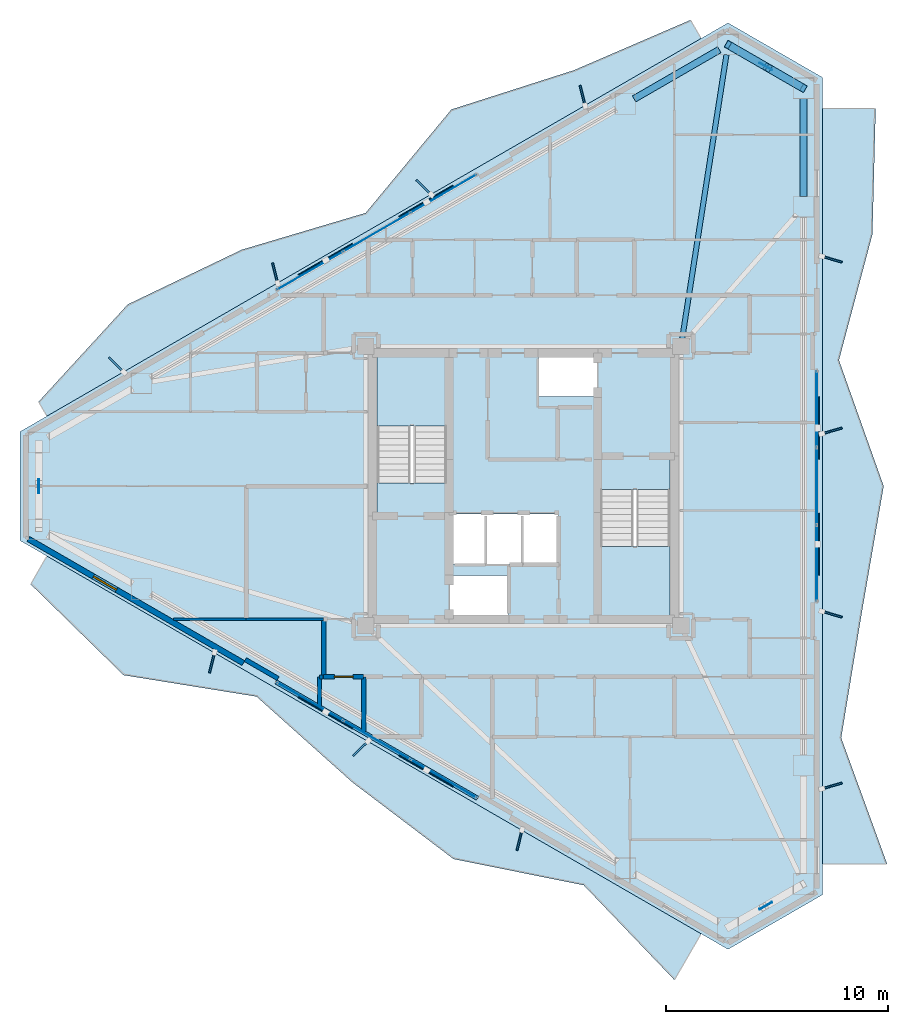
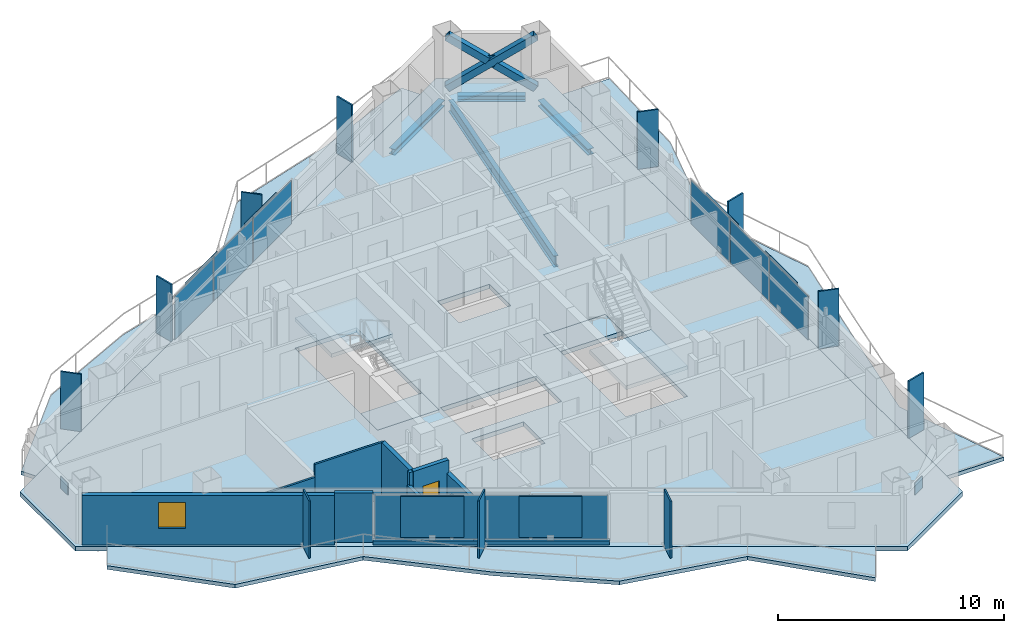
# One storey, part 11 of 18: 29 plates, 10 walls, 8 slabs, 4 beams, 3 members, 1 door, 1 window, 2 openings, 5 elements without a shape of their own.
"""IFC4 building model written with IfcOpenShell, lengths in metres."""

from ifc_helpers import new_model, si_unit, direction, frame, frame_2d, origin, origin_2d, place, context, subcontext, project, spatial, polyline, rectangle, hollow_rectangle, i_section, outline, extrude, material, layer, layer_set, material_profile, profile_set, type_object, element, fill, aggregate, save


model = new_model("IFC4")

# Units and contexts
model_context = context("Model", 3, precision=1e-05, world=origin(), true_north=direction((0.0, 1.0)))
body_context = subcontext(model_context, "Body", "Model", "MODEL_VIEW")
ifc_project = project(units=[si_unit("LENGTHUNIT", "METRE"), si_unit("AREAUNIT", "SQUARE_METRE"), si_unit("VOLUMEUNIT", "CUBIC_METRE"), si_unit("PLANEANGLEUNIT", "RADIAN"), si_unit("MASSUNIT", "GRAM", prefix="KILO")], contexts=[model_context])

# Site, building, storey
site_placement = place(None, origin())
site = spatial("IfcSite", under=ifc_project, at=site_placement, CompositionType="ELEMENT")
building_placement = place(site_placement, origin())
building = spatial("IfcBuilding", under=site, at=building_placement, Name="Mersakhor Tower and Convention Hall", CompositionType="ELEMENT")
storey_placement = place(building_placement, frame((0.0, 0.0, 137.699951171875)))
storey = spatial("IfcBuildingStorey", under=building, at=storey_placement, Name="L38", CompositionType="ELEMENT", Elevation=137.699951171875)

# Beams
ifc_material_1 = material(Name="Steel S355", Category="steel")
ifc_material_profile_1 = material_profile(ifc_material_1, i_section(OverallWidth=0.22900390625, OverallDepth=0.6123046875, WebThickness=0.011962890625, FlangeThickness=0.01953125, at=origin_2d()), Name="UB 610x229x125")
ifc_profile_set_1 = profile_set([ifc_material_profile_1], Name="Steel S355")
beam_type_1 = type_object("IfcBeamType", Name="BM-PR-610", PredefinedType="BEAM", material=ifc_profile_set_1)
beam_1_placement = place(storey_placement, frame((36.15478515625, 33.40087890625, -0.546142578125), z_axis=(0.154111159783, 0.988053515975, 0.0), x_axis=(-0.988053515975, 0.154111159783, 0.0)))
element("IfcBeam", 1, at=beam_1_placement, inside=storey, type_object=beam_type_1, Name="L38 Primary Floor Girder FG-2", PredefinedType="BEAM", context=body_context, shape_type="SweptSolid", body=[
    extrude(i_section(OverallWidth=0.22900390625, OverallDepth=0.6123046875, WebThickness=0.011962890625, FlangeThickness=0.01953125, at=origin_2d()), origin(), (0.0, 0.0, 1.0), 12.94921875),
])
ifc_material_2 = material(Name="Steel S355", Category="steel")
ifc_material_profile_2 = material_profile(ifc_material_2, i_section(OverallWidth=0.30908203125, OverallDepth=0.320556640625, WebThickness=0.013916015625, FlangeThickness=0.021728515625, at=origin_2d()), Name="UC 305x305x137")
ifc_profile_set_2 = profile_set([ifc_material_profile_2], Name="Steel S355")
beam_type_2 = type_object("IfcBeamType", Name="BM-SPD-UC305", PredefinedType="SPANDREL", material=ifc_profile_set_2)
beam_2_placement = place(storey_placement, frame((33.986572265625, 44.200439453125, -0.400146484375), z_axis=(0.866038875684, 0.49997666526, 0.0), x_axis=(-0.49997666526, 0.866038875684, 0.0)))
element("IfcBeam", 2, at=beam_2_placement, inside=storey, type_object=beam_type_2, Name="L38 Perimeter Spandrel Beam SPB-03", PredefinedType="SPANDREL", context=body_context, shape_type="SweptSolid", body=[
    extrude(i_section(OverallWidth=0.30908203125, OverallDepth=0.320556640625, WebThickness=0.013916015625, FlangeThickness=0.021728515625, at=origin_2d()), origin(), (0.0, 0.0, 1.0), 4.433837890625),
])
beam_3_placement = place(storey_placement, frame((38.614501953125, 46.417236328125, -0.400146484375), z_axis=(0.86604667077, -0.499963162692, 0.0), x_axis=(0.499963162692, 0.86604667077, 0.0)))
element("IfcBeam", 3, at=beam_3_placement, inside=storey, type_object=beam_type_2, Name="L38 Perimeter Spandrel Beam SPB-04", PredefinedType="SPANDREL", context=body_context, shape_type="SweptSolid", body=[
    extrude(i_section(OverallWidth=0.30908203125, OverallDepth=0.320556640625, WebThickness=0.013916015625, FlangeThickness=0.021728515625, at=origin_2d()), origin(), (0.0, 0.0, 1.0), 3.014404296875),
])
beam_4_placement = place(storey_placement, frame((41.619140625, 44.2275390625, -0.400146484375), z_axis=(0.0, -1.0, 0.0), x_axis=(1.0, 0.0, 0.0)))
element("IfcBeam", 4, at=beam_4_placement, inside=storey, type_object=beam_type_2, Name="L38 Perimeter Spandrel Beam SPB-05", PredefinedType="SPANDREL", context=body_context, shape_type="SweptSolid", body=[
    extrude(i_section(OverallWidth=0.30908203125, OverallDepth=0.320556640625, WebThickness=0.013916015625, FlangeThickness=0.021728515625, at=origin_2d()), origin(), (0.0, 0.0, 1.0), 4.433837890625),
])

# Members
ifc_material_3 = material(Name="Steel S460", Category="steel")
ifc_material_profile_3 = material_profile(ifc_material_3, hollow_rectangle(XDim=0.35009765625, YDim=0.35009765625, WallThickness=0.02001953125, at=origin_2d()), Name="SHS 350x350x20")
ifc_profile_set_3 = profile_set([ifc_material_profile_3], Name="Steel S460")
member_type = type_object("IfcMemberType", Name="MB-BRC-SHS350", PredefinedType="BRACE", material=ifc_profile_set_3)
member_placement = place(storey_placement, frame((38.220458984375, 46.644775390625, 0.150146484375), z_axis=(0.70838533923, -0.408971551713, 0.575267312693), x_axis=(0.499986324622, 0.866033299124, 0.0)))
element("IfcMember", 5, at=member_placement, inside=storey, type_object=member_type, Name="L38 Chamfer Braced Frame Diagonal CB-1A", PredefinedType="BRACE", context=body_context, shape_type="SweptSolid", body=[
    extrude(hollow_rectangle(XDim=0.35009765625, YDim=0.35009765625, WallThickness=0.02001953125, at=origin_2d()), origin(), (0.0, 0.0, 1.0), 4.7978515625),
])
for number, where, z_axis, x_axis, name in (
    (6, (41.619140625, 44.6826171875, 0.150146484375), (-0.708409139881, 0.409012716899, 0.575208734242), (-0.500011469263, -0.866018781901, 0.0), "L38 Chamfer Braced Frame Diagonal CB-1B Lower Half"),
    (7, (39.782470703125, 45.742919921875, 1.6416015625), (-0.708364021879, 0.408986667212, 0.575282816143), (-0.500011469263, -0.866018781901, 0.0), "L38 Chamfer Braced Frame Diagonal CB-1B Upper Half"),
):
    element("IfcMember", number, at=place(storey_placement, frame(where, z_axis=z_axis, x_axis=x_axis)), inside=storey, type_object=member_type, Name=name, PredefinedType="BRACE", context=body_context, shape_type="SweptSolid", body=[
        extrude(hollow_rectangle(XDim=0.35009765625, YDim=0.35009765625, WallThickness=0.02001953125, at=origin_2d()), origin(), (0.0, 0.0, 1.0), 2.205078125),
    ])

# Curtain wall, plates
ifc_material_4 = material(Name="Dark solar low-E aluminium curtain wall", Category="aluminium")
ifc_layer_1 = layer(ifc_material_4, 0.169921875)
ifc_layer_set_1 = layer_set([ifc_layer_1], Name="Dark solar low-E aluminium curtain wall")
curtain_wall_type = type_object("IfcCurtainWallType", Name="CW-SYS-02", PredefinedType="USERDEFINED", material=ifc_layer_set_1)
curtain_wall_1_placement = place(storey_placement, origin())
curtain_wall_1 = element("IfcCurtainWall", 8, at=curtain_wall_1_placement, inside=storey, type_object=curtain_wall_type, Name="L38 Dark-Glass Curtain Wall F1-B2", ObjectType="CURTAIN WALL", PredefinedType="USERDEFINED")
ifc_material_5 = material(Name="Dark solar double glazing", Category="glass")
ifc_layer_2 = layer(ifc_material_5, 0.028076171875)
ifc_layer_set_2 = layer_set([ifc_layer_2], Name="Dark solar double glazing")
plate_type_1 = type_object("IfcPlateType", Name="CWP-GLZ-28", PredefinedType="CURTAIN_PANEL", material=ifc_layer_set_2)
plate_1_placement = place(storey_placement, frame((19.379638671875, 36.4599609375, 0.259765625), z_axis=(0.0, 0.0, 1.0), x_axis=(0.866030906807, 0.499990468363, 0.0)))
plate_1 = element("IfcPlate", 9, at=plate_1_placement, type_object=plate_type_1, Name="CW-02 panel 1.1", PredefinedType="CURTAIN_PANEL", context=body_context, shape_type="SweptSolid", body=[
    extrude(rectangle(XDim=3.3828125, YDim=0.028076171875, at=origin_2d()), origin(), (0.0, 0.0, 1.0), 2.360107421875),
])
plate_2_placement = place(storey_placement, frame((22.390380859375, 38.1982421875, 0.259765625), z_axis=(0.0, 0.0, 1.0), x_axis=(0.866030906807, 0.499990468363, 0.0)))
plate_2 = element("IfcPlate", 10, at=plate_2_placement, type_object=plate_type_1, Name="CW-02 panel 2.1", PredefinedType="CURTAIN_PANEL", context=body_context, shape_type="SweptSolid", body=[
    extrude(rectangle(XDim=3.42041015625, YDim=0.028076171875, at=origin_2d()), origin(), (0.0, 0.0, 1.0), 2.360107421875),
])
plate_3_placement = place(storey_placement, frame((25.401123046875, 39.9365234375, 0.259765625), z_axis=(0.0, 0.0, 1.0), x_axis=(0.866030906807, 0.499990468363, 0.0)))
plate_3 = element("IfcPlate", 11, at=plate_3_placement, type_object=plate_type_1, Name="CW-02 panel 3.1", PredefinedType="CURTAIN_PANEL", context=body_context, shape_type="SweptSolid", body=[
    extrude(rectangle(XDim=3.3828125, YDim=0.028076171875, at=origin_2d()), origin(), (0.0, 0.0, 1.0), 2.360107421875),
])
aggregate(curtain_wall_1, [plate_1, plate_2, plate_3])

curtain_wall_2_placement = place(storey_placement, origin())
curtain_wall_2 = element("IfcCurtainWall", 12, at=curtain_wall_2_placement, inside=storey, type_object=curtain_wall_type, Name="L38 Dark-Glass Curtain Wall F2-B2", ObjectType="CURTAIN WALL", PredefinedType="USERDEFINED")
plate_4_placement = place(storey_placement, frame((42.21923828125, 30.2265625, 0.259765625), z_axis=(0.0, 0.0, 1.0), x_axis=(0.0, -1.0, 0.0)))
plate_4 = element("IfcPlate", 13, at=plate_4_placement, type_object=plate_type_1, Name="CW-02 panel 1.1", PredefinedType="CURTAIN_PANEL", context=body_context, shape_type="SweptSolid", body=[
    extrude(rectangle(XDim=3.3828125, YDim=0.028076171875, at=origin_2d()), origin(), (0.0, 0.0, 1.0), 2.360107421875),
])
plate_5_placement = place(storey_placement, frame((42.21923828125, 26.75, 0.259765625), z_axis=(0.0, 0.0, 1.0), x_axis=(0.0, -1.0, 0.0)))
plate_5 = element("IfcPlate", 14, at=plate_5_placement, type_object=plate_type_1, Name="CW-02 panel 2.1", PredefinedType="CURTAIN_PANEL", context=body_context, shape_type="SweptSolid", body=[
    extrude(rectangle(XDim=3.42041015625, YDim=0.028076171875, at=origin_2d()), origin(), (0.0, 0.0, 1.0), 2.360107421875),
])
plate_6_placement = place(storey_placement, frame((42.21923828125, 23.2734375, 0.259765625), z_axis=(0.0, 0.0, 1.0), x_axis=(0.0, -1.0, 0.0)))
plate_6 = element("IfcPlate", 15, at=plate_6_placement, type_object=plate_type_1, Name="CW-02 panel 3.1", PredefinedType="CURTAIN_PANEL", context=body_context, shape_type="SweptSolid", body=[
    extrude(rectangle(XDim=3.3828125, YDim=0.028076171875, at=origin_2d()), origin(), (0.0, 0.0, 1.0), 2.360107421875),
])
aggregate(curtain_wall_2, [plate_4, plate_5, plate_6])

curtain_wall_3_placement = place(storey_placement, origin())
curtain_wall_3 = element("IfcCurtainWall", 16, at=curtain_wall_3_placement, inside=storey, type_object=curtain_wall_type, Name="L38 Dark-Glass Curtain Wall F3-B2", ObjectType="CURTAIN WALL", PredefinedType="USERDEFINED")
plate_7_placement = place(storey_placement, frame((25.401123046875, 13.5634765625, 0.259765625), z_axis=(0.0, 0.0, 1.0), x_axis=(-0.866030906807, 0.499990468363, 0.0)))
plate_7 = element("IfcPlate", 17, at=plate_7_placement, type_object=plate_type_1, Name="CW-02 panel 1.1", PredefinedType="CURTAIN_PANEL", context=body_context, shape_type="SweptSolid", body=[
    extrude(rectangle(XDim=3.3828125, YDim=0.028076171875, at=origin_2d()), origin(), (0.0, 0.0, 1.0), 2.360107421875),
])
plate_8_placement = place(storey_placement, frame((22.390380859375, 15.3017578125, 0.259765625), z_axis=(0.0, 0.0, 1.0), x_axis=(-0.866030906807, 0.499990468363, 0.0)))
plate_8 = element("IfcPlate", 18, at=plate_8_placement, type_object=plate_type_1, Name="CW-02 panel 2.1", PredefinedType="CURTAIN_PANEL", context=body_context, shape_type="SweptSolid", body=[
    extrude(rectangle(XDim=3.42041015625, YDim=0.028076171875, at=origin_2d()), origin(), (0.0, 0.0, 1.0), 2.360107421875),
])
plate_9_placement = place(storey_placement, frame((19.379638671875, 17.0400390625, 0.259765625), z_axis=(0.0, 0.0, 1.0), x_axis=(-0.866030906807, 0.499990468363, 0.0)))
plate_9 = element("IfcPlate", 19, at=plate_9_placement, type_object=plate_type_1, Name="CW-02 panel 3.1", PredefinedType="CURTAIN_PANEL", context=body_context, shape_type="SweptSolid", body=[
    extrude(rectangle(XDim=3.3828125, YDim=0.028076171875, at=origin_2d()), origin(), (0.0, 0.0, 1.0), 2.360107421875),
])
aggregate(curtain_wall_3, [plate_7, plate_8, plate_9])

# Plates
ifc_material_6 = material(Name="Ceramic-clad aluminium Zone 3 ochre-bronze", Category="aluminium")
ifc_material_7 = material(Name="Ceramic-clad aluminium Zone 1 cobalt-slate", Category="masonry")
ifc_layer_3 = layer(ifc_material_7, 0.080078125)
ifc_layer_set_3 = layer_set([ifc_layer_3], Name="Ceramic-clad aluminium Zone 1 cobalt-slate")
plate_type_2 = type_object("IfcPlateType", Name="PL-FIN-80", PredefinedType="USERDEFINED", material=ifc_layer_set_3)
for number, where, z_axis, x_axis, name in (
    (20, (10.6552734375, 32.215576171875, 0.0), (0.0, 0.0, 1.0), (-0.719339800339, 0.694658370459, 0.0), "L38 Zone 3 Coloured Brise-Soleil Fin F1-1"),
    (21, (17.81005859375, 36.3466796875, 0.0), (0.0, 0.0, 1.0), (-0.2419218956, 0.970295726276, 0.0), "L38 Zone 3 Coloured Brise-Soleil Fin F1-2"),
    (22, (24.51171875, 40.215576171875, 0.0), (0.0, 0.0, 1.0), (-0.719339800339, 0.694658370459, 0.0), "L38 Zone 3 Coloured Brise-Soleil Fin F1-3"),
    (23, (31.66650390625, 44.346435546875, 0.0), (0.0, 0.0, 1.0), (-0.2419218956, 0.970295726276, 0.0), "L38 Zone 3 Coloured Brise-Soleil Fin F1-4"),
    (24, (42.90576171875, 36.9755859375, 0.0), (0.0, 0.0, 1.0), (0.961261695938, -0.275637355817, 0.0), "L38 Zone 3 Coloured Brise-Soleil Fin F2-1"),
    (25, (42.90576171875, 29.237548828125, 0.0), (0.0, 0.0, 1.0), (0.961261695938, 0.275637355817, 0.0), "L38 Zone 3 Coloured Brise-Soleil Fin F2-2"),
    (26, (42.90576171875, 20.9755859375, 0.0), (0.0, 0.0, 1.0), (0.961261695938, -0.275637355817, 0.0), "L38 Zone 3 Coloured Brise-Soleil Fin F2-3"),
    (27, (42.90576171875, 13.237548828125, 0.0), (0.0, 0.0, 1.0), (0.961261695938, 0.275637355817, 0.0), "L38 Zone 3 Coloured Brise-Soleil Fin F2-4"),
    (28, (28.8203125, 10.796875, 0.0), (0.0, 0.0, 1.0), (-0.2419218956, -0.970295726276, 0.0), "L38 Zone 3 Coloured Brise-Soleil Fin F3-1"),
    (29, (21.665283203125, 14.927734375, 0.0), (0.0, 0.0, 1.0), (-0.719339800339, -0.694658370459, 0.0), "L38 Zone 3 Coloured Brise-Soleil Fin F3-2"),
    (30, (14.9638671875, 18.796875, 0.0), (0.0, 0.0, 1.0), (-0.2419218956, -0.970295726276, 0.0), "L38 Zone 3 Coloured Brise-Soleil Fin F3-3"),
):
    element("IfcPlate", number, at=place(storey_placement, frame(where, z_axis=z_axis, x_axis=x_axis)), inside=storey, type_object=plate_type_2, material=ifc_material_6, Name=name, ObjectType="FIN", PredefinedType="USERDEFINED", context=body_context, shape_type="SweptSolid", body=[
        extrude(rectangle(XDim=0.949951171875, YDim=0.080078125, at=origin_2d()), origin(), (0.0, 0.0, 1.0), 3.10009765625),
    ])
ifc_material_8 = material(Name="Steel S460", Category="steel")
ifc_layer_4 = layer(ifc_material_8, 0.0400390625)
ifc_layer_set_4 = layer_set([ifc_layer_4], Name="Steel S460")
plate_type_3 = type_object("IfcPlateType", Name="PL-GUSSET-40", PredefinedType="SHEET", material=ifc_layer_set_4)
for number, where, z_axis, x_axis, name in (
    (31, (39.919921875, 45.663818359375, 1.2099609375), (0.0, 0.0, 1.0), (-0.866025403784, 0.5, 0.0), "L38 X-Brace Crossing Gusset Node Plate"),
    (32, (39.919921875, 7.836181640625, 1.2099609375), (0.0, 0.0, 1.0), (0.866025403784, 0.5, 0.0), "L38 X-Brace Crossing Gusset Node Plate"),
    (33, (7.160400390625, 26.75, 1.2099609375), (0.0, 0.0, 1.0), (0.0, -1.0, 0.0), "L38 X-Brace Crossing Gusset Node Plate"),
):
    element("IfcPlate", number, at=place(storey_placement, frame(where, z_axis=z_axis, x_axis=x_axis)), inside=storey, type_object=plate_type_3, Name=name, PredefinedType="SHEET", context=body_context, shape_type="SweptSolid", body=[
        extrude(rectangle(XDim=0.639892578125, YDim=0.0400390625, at=origin_2d()), origin(), (0.0, 0.0, 1.0), 0.639892578125),
    ])
ifc_material_9 = material(Name="Perforated ceramic cobogo solar screen", Category="aluminium")
ifc_layer_5 = layer(ifc_material_9, 0.048095703125)
ifc_layer_set_5 = layer_set([ifc_layer_5], Name="Perforated ceramic cobogo solar screen")
plate_type_4 = type_object("IfcPlateType", Name="PL-SCR-48", PredefinedType="USERDEFINED", material=ifc_layer_set_5)
for number, where, z_axis, x_axis, name in (
    (34, (20.072998046875, 36.96875, 0.400146484375), (0.0, 0.0, 1.0), (0.866025403784, 0.5, 0.0), "L38 Perforated Ceramic Solar Screen F1-1"),
    (35, (24.61376953125, 39.59033203125, 0.400146484375), (0.0, 0.0, 1.0), (0.866025403784, 0.5, 0.0), "L38 Perforated Ceramic Solar Screen F1-2"),
    (36, (42.313232421875, 29.37158203125, 0.400146484375), (0.0, 0.0, 1.0), (0.0, -1.0, 0.0), "L38 Perforated Ceramic Solar Screen F2-1"),
    (37, (42.313232421875, 24.12841796875, 0.400146484375), (0.0, 0.0, 1.0), (0.0, -1.0, 0.0), "L38 Perforated Ceramic Solar Screen F2-2"),
    (38, (24.61376953125, 13.90966796875, 0.400146484375), (0.0, 0.0, 1.0), (-0.866025403784, 0.5, 0.0), "L38 Perforated Ceramic Solar Screen F3-1"),
    (39, (20.072998046875, 16.53125, 0.400146484375), (0.0, 0.0, 1.0), (-0.866025403784, 0.5, 0.0), "L38 Perforated Ceramic Solar Screen F3-2"),
):
    element("IfcPlate", number, at=place(storey_placement, frame(where, z_axis=z_axis, x_axis=x_axis)), inside=storey, type_object=plate_type_4, Name=name, ObjectType="SCREEN", PredefinedType="USERDEFINED", context=body_context, shape_type="SweptSolid", body=[
        extrude(rectangle(XDim=2.800048828125, YDim=0.048095703125, at=origin_2d()), origin(), (0.0, 0.0, 1.0), 2.22998046875),
    ])

# Slabs
ifc_material_10 = material(Name="Concrete C45/55", Category="concrete")
ifc_layer_6 = layer(ifc_material_10, 0.199951171875)
ifc_layer_set_6 = layer_set([ifc_layer_6], Name="Concrete C45/55")
slab_type_1 = type_object("IfcSlabType", Name="SL-BAL-200", PredefinedType="FLOOR", material=ifc_layer_set_6)
slab_1_placement = place(storey_placement, frame((0.0, 0.0, -0.199951171875)))
element("IfcSlab", 40, at=slab_1_placement, inside=storey, type_object=slab_type_1, Name="L38 Sinusoidal Balcony Slab Face 1", PredefinedType="FLOOR", context=body_context, shape_type="SweptSolid", body=[
    extrude(outline(polyline([(7.522705078125, 29.903076171875), (37.008056640625, 46.92626953125), (36.528076171875, 47.7578125), (31.281982421875, 45.495361328125), (25.751953125, 43.724609375), (21.890380859375, 39.064208984375), (16.298095703125, 37.4013671875), (11.167236328125, 34.939453125), (7.147705078125, 30.552490234375), (7.522705078125, 29.903076171875)])), origin(), (0.0, 0.0, 1.0), 0.199951171875),
])
slab_2_placement = place(storey_placement, frame((0.0, 0.0, -0.199951171875)))
element("IfcSlab", 41, at=slab_2_placement, inside=storey, type_object=slab_type_1, Name="L38 Sinusoidal Balcony Slab Face 2", PredefinedType="FLOOR", context=body_context, shape_type="SweptSolid", body=[
    extrude(outline(polyline([(42.46923828125, 43.773193359375), (42.46923828125, 9.726806640625), (45.38916015625, 9.726806640625), (43.320556640625, 15.401123046875), (44.25439453125, 21.07568359375), (45.23583984375, 26.75), (43.21923828125, 32.42431640625), (44.728759765625, 38.098876953125), (44.874267578125, 43.773193359375), (42.46923828125, 43.773193359375)])), origin(), (0.0, 0.0, 1.0), 0.199951171875),
])
slab_3_placement = place(storey_placement, frame((0.0, 0.0, -0.199951171875)))
element("IfcSlab", 42, at=slab_3_placement, inside=storey, type_object=slab_type_1, Name="L38 Sinusoidal Balcony Slab Face 3", PredefinedType="FLOOR", context=body_context, shape_type="SweptSolid", body=[
    extrude(outline(polyline([(37.008056640625, 6.57373046875), (7.522705078125, 23.596923828125), (6.7900390625, 22.327880859375), (10.97705078125, 18.23095703125), (16.971435546875, 17.2646484375), (21.2919921875, 13.3994140625), (25.84912109375, 9.94384765625), (31.71875, 8.761474609375), (35.8056640625, 4.490966796875), (37.008056640625, 6.57373046875)])), origin(), (0.0, 0.0, 1.0), 0.199951171875),
])
ifc_material_11 = material(Name="Concrete C40/50", Category="concrete")
ifc_layer_7 = layer(ifc_material_11, 0.239990234375)
ifc_layer_set_7 = layer_set([ifc_layer_7], Name="Concrete C40/50")
slab_type_2 = type_object("IfcSlabType", Name="SL-FLR-240", PredefinedType="FLOOR", material=ifc_layer_set_7)
slab_4_placement = place(storey_placement, frame((0.0, 0.0, -0.239990234375)))
element("IfcSlab", 43, at=slab_4_placement, inside=storey, type_object=slab_type_2, Name="L38 ST-1 Structural Stair Floor Landing", PredefinedType="LANDING", context=body_context, shape_type="SweptSolid", body=[
    extrude(outline(polyline([(25.550048828125, 25.39990234375), (25.550048828125, 26.89990234375), (22.39990234375, 26.89990234375), (22.39990234375, 25.39990234375), (25.550048828125, 25.39990234375)])), origin(), (0.0, 0.0, 1.0), 0.239990234375),
])
slab_5_placement = place(storey_placement, frame((0.0, 0.0, -0.239990234375)))
element("IfcSlab", 44, at=slab_5_placement, inside=storey, type_object=slab_type_2, Name="L38 ST-2 Structural Stair Floor Landing", PredefinedType="LANDING", context=body_context, shape_type="SweptSolid", body=[
    extrude(outline(polyline([(32.449951171875, 28.10009765625), (32.449951171875, 26.60009765625), (35.60009765625, 26.60009765625), (35.60009765625, 28.10009765625), (32.449951171875, 28.10009765625)])), origin(), (0.0, 0.0, 1.0), 0.239990234375),
])
slab_6_placement = place(storey_placement, frame((0.0, 0.0, -0.239990234375)))
element("IfcSlab", 45, at=slab_6_placement, inside=storey, type_object=slab_type_2, Name="Tower L38 Structural Floor Slab", PredefinedType="FLOOR", context=body_context, shape_type="SweptSolid", body=[
    extrude(outline(polyline([(6.310302734375, 29.202880859375), (38.220458984375, 47.626220703125), (42.46923828125, 45.17333984375), (42.46923828125, 8.32666015625), (38.220458984375, 5.873779296875), (6.310302734375, 24.297119140625), (6.310302734375, 29.202880859375)]), holes=[polyline([(25.550048828125, 25.39990234375), (25.550048828125, 32.699951171875), (22.39990234375, 32.699951171875), (22.39990234375, 25.39990234375), (25.550048828125, 25.39990234375)]), polyline([(32.449951171875, 28.10009765625), (32.449951171875, 20.800048828125), (35.60009765625, 20.800048828125), (35.60009765625, 28.10009765625), (32.449951171875, 28.10009765625)]), polyline([(25.679931640625, 20.820068359375), (25.679931640625, 22.719970703125), (28.320068359375, 22.719970703125), (28.320068359375, 20.820068359375), (25.679931640625, 20.820068359375)]), polyline([(29.679931640625, 30.780029296875), (29.679931640625, 32.679931640625), (32.320068359375, 32.679931640625), (32.320068359375, 30.780029296875), (29.679931640625, 30.780029296875)]), polyline([(25.679931640625, 23.25), (25.679931640625, 25.5), (30.570068359375, 25.5), (30.570068359375, 23.25), (25.679931640625, 23.25)])]), origin(), (0.0, 0.0, 1.0), 0.239990234375),
])

# Stair, slab
ifc_material_12 = material(Name="Concrete C45/55", Category="concrete")
stair_type = type_object("IfcStairType", Name="ST-TWR-20R", PredefinedType="HALF_TURN_STAIR", material=ifc_material_12)
stair_1_placement = place(storey_placement, origin())
stair_1 = element("IfcStair", 46, at=stair_1_placement, inside=storey, type_object=stair_type, Name="L38 Tower Protected Exit Stair ST-1", PredefinedType="HALF_TURN_STAIR")
ifc_material_13 = material(Name="Concrete C45/55", Category="concrete")
ifc_layer_8 = layer(ifc_material_13, 0.199951171875)
ifc_layer_set_8 = layer_set([ifc_layer_8], Name="Concrete C45/55")
slab_type_3 = type_object("IfcSlabType", Name="SL-LAND-200", PredefinedType="LANDING", material=ifc_layer_set_8)
slab_7_placement = place(storey_placement, frame((0.0, 0.0, 1.449951171875)))
slab_7 = element("IfcSlab", 47, at=slab_7_placement, type_object=slab_type_3, Name="ST-1 landing 1", PredefinedType="LANDING", context=body_context, shape_type="SweptSolid", body=[
    extrude(outline(polyline([(25.550048828125, 29.465087890625), (25.550048828125, 32.699951171875), (22.39990234375, 32.699951171875), (22.39990234375, 29.465087890625), (25.550048828125, 29.465087890625)])), origin(), (0.0, 0.0, 1.0), 0.2001953125),
])
aggregate(stair_1, [slab_7])

stair_2_placement = place(storey_placement, origin())
stair_2 = element("IfcStair", 48, at=stair_2_placement, inside=storey, type_object=stair_type, Name="L38 Tower Protected Exit Stair ST-2", PredefinedType="HALF_TURN_STAIR")
slab_8_placement = place(storey_placement, frame((0.0, 0.0, 1.449951171875)))
slab_8 = element("IfcSlab", 49, at=slab_8_placement, type_object=slab_type_3, Name="ST-2 landing 1", PredefinedType="LANDING", context=body_context, shape_type="SweptSolid", body=[
    extrude(outline(polyline([(32.449951171875, 24.034912109375), (32.449951171875, 20.800048828125), (35.60009765625, 20.800048828125), (35.60009765625, 24.034912109375), (32.449951171875, 24.034912109375)])), origin(), (0.0, 0.0, 1.0), 0.2001953125),
])
aggregate(stair_2, [slab_8])

# Wall, opening, window
ifc_material_14 = material(Name="Precast concrete C40/50", Category="concrete")
ifc_layer_9 = layer(ifc_material_14, 0.25)
ifc_layer_set_9 = layer_set([ifc_layer_9], Name="Precast concrete C40/50")
wall_type_1 = type_object("IfcWallType", Name="WL-EXT-250", PredefinedType="SOLIDWALL", material=ifc_layer_set_9)
wall_1_placement = place(storey_placement, frame((16.377685546875, 18.773193359375, 0.0), z_axis=(0.0, 0.0, 1.0), x_axis=(-0.866027848477, 0.499995765644, 0.0)))
wall_1 = element("IfcWall", 50, at=wall_1_placement, inside=storey, type_object=wall_type_1, Name="L38 Exterior Facade Wall F3-B3", PredefinedType="SOLIDWALL", context=body_context, shape_type="SweptSolid", body=[
    extrude(rectangle(XDim=11.18603515625, YDim=0.25, at=frame_2d((5.593017578125, 0.0))), origin(), (0.0, 0.0, 1.0), 2.679931640625),
])
opening_1_placement = place(wall_1_placement, frame((6.60498046875, 0.0, 0.89990234375)))
opening_1 = element("IfcOpeningElement", 51, at=opening_1_placement, cuts=wall_1, Name="Opening W-01", PredefinedType="OPENING", context=body_context, shape_type="SweptSolid", body=[
    extrude(rectangle(XDim=1.199951171875, YDim=1.39990234375, at=frame_2d((0.60009765625, 0.699951171875))), frame((0.0, 0.135009765625, 0.0), z_axis=(0.0, -1.0, 0.0), x_axis=(1.0, 0.0, 0.0)), (0.0, 0.0, 1.0), 0.27001953125),
])
ifc_material_15 = material(Name="Dark solar low-E glazed aluminium window", Category="aluminium")
window_type = type_object("IfcWindowType", Name="WN-RES-120x150", PartitioningType="SINGLE_PANEL", PredefinedType="WINDOW", material=ifc_material_15)
window_placement = place(opening_1_placement, origin())
window = element("IfcWindow", 52, at=window_placement, inside=storey, type_object=window_type, Name="L38 Bedroom Facade Window F3-B3-1", OverallHeight=1.39990234375, OverallWidth=1.199951171875, PartitioningType="SINGLE_PANEL", PredefinedType="WINDOW", context=body_context, shape_type="SweptSolid", body=[
    extrude(rectangle(XDim=1.199951171875, YDim=1.39990234375, at=frame_2d((0.60009765625, 0.699951171875))), frame((0.0, 0.030029296875, 0.0), z_axis=(0.0, -1.0, 0.0), x_axis=(1.0, 0.0, 0.0)), (0.0, 0.0, 1.0), 0.06005859375),
])
fill(opening_1, window)

# Walls
ifc_material_16 = material(Name="Precast concrete C40/50", Category="concrete")
ifc_layer_10 = layer(ifc_material_16, 0.199951171875)
ifc_layer_set_10 = layer_set([ifc_layer_10], Name="Precast concrete C40/50")
wall_type_2 = type_object("IfcWallType", Name="WL-PAR-200", PredefinedType="PARAPET", material=ifc_layer_set_10)
wall_2_placement = place(storey_placement, frame((26.930908203125, 12.680419921875, 0.0), z_axis=(0.0, 0.0, 1.0), x_axis=(-0.866026619769, 0.499997893847, 0.0)))
element("IfcWall", 53, at=wall_2_placement, inside=storey, type_object=wall_type_2, Name="L38 Curtain Wall Upstand Sill F3-B2", PredefinedType="PARAPET", context=body_context, shape_type="SweptSolid", body=[
    extrude(rectangle(XDim=10.48583984375, YDim=0.199951171875, at=frame_2d((5.242919921875, 0.0))), origin(), (0.0, 0.0, 1.0), 0.199951171875),
])
wall_3_placement = place(storey_placement, frame((17.939697265625, 18.0791015625, 0.0), z_axis=(0.0, 0.0, 1.0), x_axis=(-0.865989465428, 0.500062241894, 0.0)))
element("IfcWall", 54, at=wall_3_placement, inside=storey, type_object=wall_type_2, Name="L38 Column Pier Cladding Wall F3-C2", PredefinedType="PARAPET", context=body_context, shape_type="SweptSolid", body=[
    extrude(rectangle(XDim=1.699951171875, YDim=0.199951171875, at=frame_2d((0.85009765625, 0.0))), origin(), (0.0, 0.0, 1.0), 2.679931640625),
])
ifc_material_17 = material(Name="Moisture-resistant acoustic drywall studwork", Category="other")
ifc_layer_11 = layer(ifc_material_17, 0.175048828125)
ifc_layer_set_11 = layer_set([ifc_layer_11], Name="Moisture-resistant acoustic drywall studwork")
wall_type_3 = type_object("IfcWallType", Name="WL-PLM-175", PredefinedType="PLUMBINGWALL", material=ifc_layer_set_11)
wall_4_placement = place(storey_placement, frame((19.800048828125, 18.14990234375, 0.0), z_axis=(0.0, 0.0, 1.0), x_axis=(1.0, 0.0, 0.0)))
element("IfcWall", 55, at=wall_4_placement, inside=storey, type_object=wall_type_3, Name="L38 Interior Partition Wall P-071", PredefinedType="PLUMBINGWALL", context=body_context, shape_type="SweptSolid", body=[
    extrude(rectangle(XDim=0.169921875, YDim=0.175048828125, at=frame_2d((0.0849609375, 0.0))), origin(), (0.0, 0.0, 1.0), 3.06005859375),
])
wall_5_placement = place(storey_placement, frame((19.800048828125, 16.84130859375, 0.0), z_axis=(0.0, 0.0, 1.0), x_axis=(0.0, 1.0, 0.0)))
element("IfcWall", 56, at=wall_5_placement, inside=storey, type_object=wall_type_3, Name="L38 Interior Partition Wall P-073", PredefinedType="PLUMBINGWALL", context=body_context, shape_type="SweptSolid", body=[
    extrude(rectangle(XDim=1.30859375, YDim=0.175048828125, at=frame_2d((0.654296875, 0.0))), origin(), (0.0, 0.0, 1.0), 2.364990234375),
])
ifc_material_18 = material(Name="Lightweight gypsum partition", Category="other")
ifc_layer_12 = layer(ifc_material_18, 0.10009765625)
ifc_layer_set_12 = layer_set([ifc_layer_12], Name="Lightweight gypsum partition")
wall_type_4 = type_object("IfcWallType", Name="WL-PRT-100", PredefinedType="PARTITIONING", material=ifc_layer_set_12)
wall_6_placement = place(storey_placement, frame((20.0, 20.75, 0.0), z_axis=(0.0, 0.0, 1.0), x_axis=(-1.0, 0.0, 0.0)))
element("IfcWall", 57, at=wall_6_placement, inside=storey, type_object=wall_type_4, Name="L38 Interior Partition Wall P-092", PredefinedType="PARTITIONING", context=body_context, shape_type="SweptSolid", body=[
    extrude(rectangle(XDim=3.5, YDim=0.10009765625, at=frame_2d((1.75, 0.0))), origin(), (0.0, 0.0, 1.0), 3.06005859375),
])
wall_7_placement = place(storey_placement, frame((16.5, 20.75, 0.0), z_axis=(0.0, 0.0, 1.0), x_axis=(-1.0, 0.0, 0.0)))
element("IfcWall", 58, at=wall_7_placement, inside=storey, type_object=wall_type_4, Name="L38 Interior Partition Wall P-126", PredefinedType="PARTITIONING", context=body_context, shape_type="SweptSolid", body=[
    extrude(rectangle(XDim=3.275146484375, YDim=0.10009765625, at=frame_2d((1.6376953125, 0.0))), origin(), (0.0, 0.0, 1.0), 2.364990234375),
])

# Wall, opening, door
ifc_material_19 = material(Name="Acoustic concrete blockwork and gypsum board", Category="masonry")
ifc_layer_13 = layer(ifc_material_19, 0.199951171875)
ifc_layer_set_13 = layer_set([ifc_layer_13], Name="Acoustic concrete blockwork and gypsum board")
wall_type_5 = type_object("IfcWallType", Name="WL-PRT-200", PredefinedType="PARTITIONING", material=ifc_layer_set_13)
wall_8_placement = place(storey_placement, frame((21.800048828125, 18.14990234375, 0.0), z_axis=(0.0, 0.0, 1.0), x_axis=(-1.0, 0.0, 0.0)))
wall_8 = element("IfcWall", 59, at=wall_8_placement, inside=storey, type_object=wall_type_5, Name="L38 Interior Partition Wall P-047", PredefinedType="PARTITIONING", context=body_context, shape_type="SweptSolid", body=[
    extrude(rectangle(XDim=1.800048828125, YDim=0.199951171875, at=frame_2d((0.89990234375, 0.0))), origin(), (0.0, 0.0, 1.0), 3.06005859375),
])
opening_2_placement = place(wall_8_placement, frame((0.47509765625, 0.0, 0.0)))
opening_2 = element("IfcOpeningElement", 60, at=opening_2_placement, cuts=wall_8, Name="Opening SVD-01", PredefinedType="OPENING", context=body_context, shape_type="SweptSolid", body=[
    extrude(rectangle(XDim=0.85009765625, YDim=2.10009765625, at=frame_2d((0.425048828125, 1.050048828125))), frame((0.0, 0.10986328125, 0.0), z_axis=(0.0, -1.0, 0.0), x_axis=(1.0, 0.0, 0.0)), (0.0, 0.0, 1.0), 0.219970703125),
])
ifc_material_20 = material(Name="Fire-rated hardwood leaf and painted steel frame", Category="steel")
door_type = type_object("IfcDoorType", Name="DR-INT-SVC-085x210", OperationType="NOTDEFINED", PredefinedType="DOOR", material=ifc_material_20)
door_placement = place(opening_2_placement, origin())
door = element("IfcDoor", 61, at=door_placement, inside=storey, type_object=door_type, Name="L38 Residential South Gallery Corridor to L38 Floor Shared Restroom WC 2-2 Door", OperationType="SINGLE_SWING_LEFT", OverallHeight=2.10009765625, OverallWidth=0.85009765625, PredefinedType="DOOR", context=body_context, shape_type="SweptSolid", body=[
    extrude(rectangle(XDim=0.85009765625, YDim=2.10009765625, at=frame_2d((0.425048828125, 1.050048828125))), frame((0.0, 0.02490234375, 0.0), z_axis=(0.0, -1.0, 0.0), x_axis=(1.0, 0.0, 0.0)), (0.0, 0.0, 1.0), 0.050048828125),
])
fill(opening_2, door)

# Walls
wall_9_placement = place(storey_placement, frame((20.0, 18.14990234375, 0.0), z_axis=(0.0, 0.0, 1.0), x_axis=(0.0, 1.0, 0.0)))
element("IfcWall", 62, at=wall_9_placement, inside=storey, type_object=wall_type_5, Name="L38 Interior Partition Wall P-048", PredefinedType="PARTITIONING", context=body_context, shape_type="SweptSolid", body=[
    extrude(rectangle(XDim=2.60009765625, YDim=0.199951171875, at=frame_2d((1.300048828125, 0.0))), origin(), (0.0, 0.0, 1.0), 3.06005859375),
])
wall_10_placement = place(storey_placement, frame((21.800048828125, 18.14990234375, 0.0), z_axis=(0.0, 0.0, 1.0), x_axis=(0.0, -1.0, 0.0)))
element("IfcWall", 63, at=wall_10_placement, inside=storey, type_object=wall_type_5, Name="L38 Interior Partition Wall P-072", PredefinedType="PARTITIONING", context=body_context, shape_type="SweptSolid", body=[
    extrude(rectangle(XDim=2.46337890625, YDim=0.199951171875, at=frame_2d((1.231689453125, 0.0))), origin(), (0.0, 0.0, 1.0), 2.364990234375),
])

save(model, "model.ifc")
